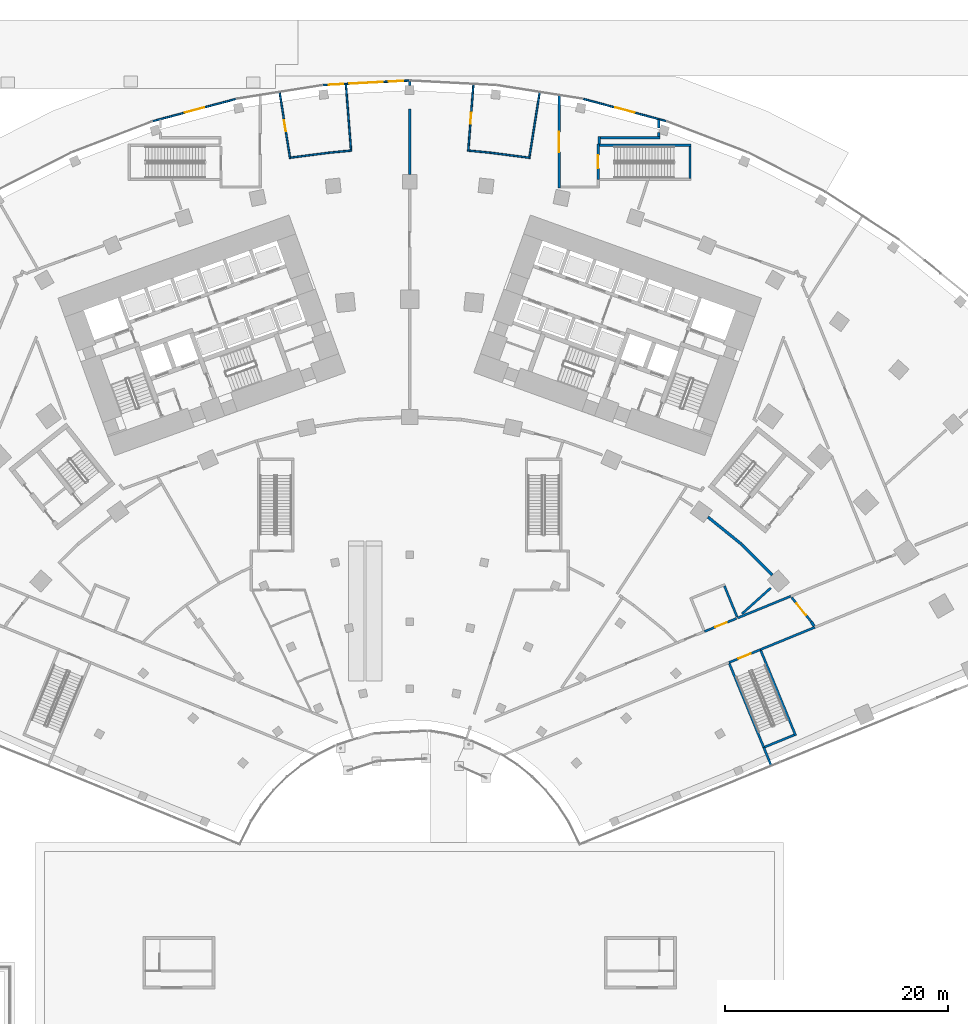
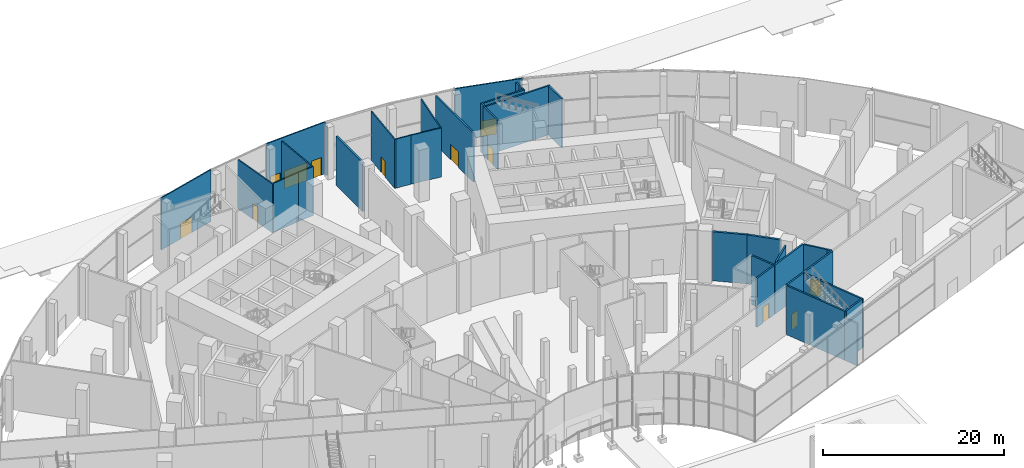
# One storey, part 36 of 60: 35 walls, 12 doors, 12 openings.
"""IFC4 building model written with IfcOpenShell, lengths in metres."""

from ifc_helpers import new_model, si_unit, direction, frame, frame_2d, origin, place, context, subcontext, project, spatial, rectangle, extrude, material, layer, layer_set, type_object, element, fill, save


model = new_model("IFC4")

# Units and contexts
model_context = context("Model", 3, precision=1e-05, world=origin(), true_north=direction((0.0, 1.0)))
body_context = subcontext(model_context, "Body", "Model", "MODEL_VIEW")
ifc_project = project(units=[si_unit("LENGTHUNIT", "METRE"), si_unit("AREAUNIT", "SQUARE_METRE"), si_unit("VOLUMEUNIT", "CUBIC_METRE"), si_unit("PLANEANGLEUNIT", "RADIAN"), si_unit("MASSUNIT", "GRAM", prefix="KILO")], contexts=[model_context])

# Site, building, storey
site_placement = place(None, origin())
site = spatial("IfcSite", under=ifc_project, at=site_placement, CompositionType="ELEMENT")
building_placement = place(site_placement, origin())
building = spatial("IfcBuilding", under=site, at=building_placement, Name="Stone Belt Terrace Tower", CompositionType="ELEMENT")
storey_placement = place(building_placement, origin())
storey = spatial("IfcBuildingStorey", under=building, at=storey_placement, Name="L00", CompositionType="ELEMENT", Elevation=0.0)

# Wall, opening, door
ifc_material_1 = material(Name="Terracotta coloured glazed ceramic", Category="masonry")
ifc_layer_1 = layer(ifc_material_1, 0.14990234375)
ifc_layer_set_1 = layer_set([ifc_layer_1], Name="Ceramic rain-screen wall 150")
wall_type_1 = type_object("IfcWallType", Name="Ceramic rain-screen wall 150", PredefinedType="SOLIDWALL", material=ifc_layer_set_1)
wall_1_placement = place(storey_placement, frame((23.01220703125, 70.933837890625, 0.0), z_axis=(0.0, 0.0, 1.0), x_axis=(-0.965920024897, 0.258840695223, 0.0)))
wall_1 = element("IfcWall", 1, at=wall_1_placement, inside=storey, type_object=wall_type_1, Name="Door wall L00", PredefinedType="SOLIDWALL", context=body_context, shape_type="SweptSolid", body=[
    extrude(rectangle(XDim=7.738037109375, YDim=0.14990234375, at=frame_2d((3.869140625, 0.0))), origin(), (0.0, 0.0, 1.0), 7.0),
])
opening_1_placement = place(wall_1_placement, frame((2.968994140625, 0.0, 0.0)))
opening_1 = element("IfcOpeningElement", 2, at=opening_1_placement, cuts=wall_1, Name="Opening L00-E12", PredefinedType="OPENING", context=body_context, shape_type="SweptSolid", body=[
    extrude(rectangle(XDim=1.800048828125, YDim=2.10009765625, at=frame_2d((0.89990234375, 1.050048828125))), frame((0.0, 0.0849609375, 0.0), z_axis=(0.0, -1.0, 0.0), x_axis=(1.0, 0.0, 0.0)), (0.0, 0.0, 1.0), 0.169921875),
])
ifc_material_2 = material(Name="Anodised aluminium glazed door", Category="aluminium")
door_type_1 = type_object("IfcDoorType", Name="Exit door pair 1800 x 2100", OperationType="DOUBLE_DOOR_DOUBLE_SWING", PredefinedType="DOOR", material=ifc_material_2)
door_1_placement = place(opening_1_placement, origin())
door_1 = element("IfcDoor", 3, at=door_1_placement, inside=storey, type_object=door_type_1, Name="Exit door L00", OperationType="DOUBLE_DOOR_DOUBLE_SWING", OverallHeight=2.10009765625, OverallWidth=1.800048828125, PredefinedType="DOOR", context=body_context, shape_type="SweptSolid", body=[
    extrude(rectangle(XDim=1.800048828125, YDim=2.10009765625, at=frame_2d((0.89990234375, 1.050048828125))), frame((0.0, 0.02490234375, 0.0), z_axis=(0.0, -1.0, 0.0), x_axis=(1.0, 0.0, 0.0)), (0.0, 0.0, 1.0), 0.050048828125),
])
fill(opening_1, door_1)

# Wall, openings, doors
wall_2_placement = place(storey_placement, frame((-0.033935546875, 74.5732421875, 0.0), z_axis=(0.0, 0.0, 1.0), x_axis=(-0.998630871779, -0.052310438058, 0.0)))
wall_2 = element("IfcWall", 4, at=wall_2_placement, inside=storey, type_object=wall_type_1, Name="Door wall L00", PredefinedType="SOLIDWALL", context=body_context, shape_type="SweptSolid", body=[
    extrude(rectangle(XDim=7.738037109375, YDim=0.14990234375, at=frame_2d((3.869140625, 0.0))), origin(), (0.0, 0.0, 1.0), 7.0),
])
opening_2_placement = place(wall_2_placement, frame((0.534423828125, 0.0, 0.0)))
opening_2 = element("IfcOpeningElement", 5, at=opening_2_placement, cuts=wall_2, Name="Opening L00-E13", PredefinedType="OPENING", context=body_context, shape_type="SweptSolid", body=[
    extrude(rectangle(XDim=1.300048828125, YDim=2.39990234375, at=frame_2d((0.64990234375, 1.199951171875))), frame((0.0, 0.0849609375, 0.0), z_axis=(0.0, -1.0, 0.0), x_axis=(1.0, 0.0, 0.0)), (0.0, 0.0, 1.0), 0.169921875),
])
opening_3_placement = place(wall_2_placement, frame((2.369140625, 0.0, 0.0)))
opening_3 = element("IfcOpeningElement", 6, at=opening_3_placement, cuts=wall_2, Name="Opening L00-E14", PredefinedType="OPENING", context=body_context, shape_type="SweptSolid", body=[
    extrude(rectangle(XDim=3.0, YDim=2.39990234375, at=frame_2d((1.5, 1.199951171875))), frame((0.0, 0.0849609375, 0.0), z_axis=(0.0, -1.0, 0.0), x_axis=(1.0, 0.0, 0.0)), (0.0, 0.0, 1.0), 0.169921875),
])
opening_4_placement = place(wall_2_placement, frame((5.903564453125, 0.0, 0.0)))
opening_4 = element("IfcOpeningElement", 7, at=opening_4_placement, cuts=wall_2, Name="Opening L00-E15", PredefinedType="OPENING", context=body_context, shape_type="SweptSolid", body=[
    extrude(rectangle(XDim=1.300048828125, YDim=2.39990234375, at=frame_2d((0.64990234375, 1.199951171875))), frame((0.0, 0.0849609375, 0.0), z_axis=(0.0, -1.0, 0.0), x_axis=(1.0, 0.0, 0.0)), (0.0, 0.0, 1.0), 0.169921875),
])
door_type_2 = type_object("IfcDoorType", Name="Entrance side door 1300 x 2400", OperationType="NOTDEFINED", PredefinedType="DOOR", material=ifc_material_2)
door_2_placement = place(opening_2_placement, origin())
door_2 = element("IfcDoor", 8, at=door_2_placement, inside=storey, type_object=door_type_2, Name="Entrance door L00", OperationType="SINGLE_SWING_LEFT", OverallHeight=2.39990234375, OverallWidth=1.300048828125, PredefinedType="DOOR", context=body_context, shape_type="SweptSolid", body=[
    extrude(rectangle(XDim=1.300048828125, YDim=2.39990234375, at=frame_2d((0.64990234375, 1.199951171875))), frame((0.0, 0.02490234375, 0.0), z_axis=(0.0, -1.0, 0.0), x_axis=(1.0, 0.0, 0.0)), (0.0, 0.0, 1.0), 0.050048828125),
])
fill(opening_2, door_2)
door_3_placement = place(opening_4_placement, origin())
door_3 = element("IfcDoor", 9, at=door_3_placement, inside=storey, type_object=door_type_2, Name="Entrance door L00", OperationType="SINGLE_SWING_RIGHT", OverallHeight=2.39990234375, OverallWidth=1.300048828125, PredefinedType="DOOR", context=body_context, shape_type="SweptSolid", body=[
    extrude(rectangle(XDim=1.300048828125, YDim=2.39990234375, at=frame_2d((0.64990234375, 1.199951171875))), frame((0.0, 0.02490234375, 0.0), z_axis=(0.0, -1.0, 0.0), x_axis=(1.0, 0.0, 0.0)), (0.0, 0.0, 1.0), 0.050048828125),
])
fill(opening_4, door_3)
door_type_3 = type_object("IfcDoorType", Name="Revolving entrance door 3000 x 2400", OperationType="REVOLVING", PredefinedType="DOOR", material=ifc_material_2)
door_4_placement = place(opening_3_placement, origin())
door_4 = element("IfcDoor", 10, at=door_4_placement, inside=storey, type_object=door_type_3, Name="Entrance door L00", OperationType="REVOLVING", OverallHeight=2.39990234375, OverallWidth=3.0, PredefinedType="DOOR", context=body_context, shape_type="SweptSolid", body=[
    extrude(rectangle(XDim=3.0, YDim=2.39990234375, at=frame_2d((1.5, 1.199951171875))), frame((0.0, 0.02490234375, 0.0), z_axis=(0.0, -1.0, 0.0), x_axis=(1.0, 0.0, 0.0)), (0.0, 0.0, 1.0), 0.050048828125),
])
fill(opening_3, door_4)

# Wall, opening, door
wall_3_placement = place(storey_placement, frame((-15.537841796875, 72.936767578125, 0.0), z_axis=(0.0, 0.0, 1.0), x_axis=(-0.965920024897, -0.258840695223, 0.0)))
wall_3 = element("IfcWall", 11, at=wall_3_placement, inside=storey, type_object=wall_type_1, Name="Door wall L00", PredefinedType="SOLIDWALL", context=body_context, shape_type="SweptSolid", body=[
    extrude(rectangle(XDim=7.738037109375, YDim=0.14990234375, at=frame_2d((3.869140625, 0.0))), origin(), (0.0, 0.0, 1.0), 7.0),
])
opening_5_placement = place(wall_3_placement, frame((2.968994140625, 0.0, 0.0)))
opening_5 = element("IfcOpeningElement", 12, at=opening_5_placement, cuts=wall_3, Name="Opening L00-E16", PredefinedType="OPENING", context=body_context, shape_type="SweptSolid", body=[
    extrude(rectangle(XDim=1.800048828125, YDim=2.10009765625, at=frame_2d((0.89990234375, 1.050048828125))), frame((0.0, 0.0849609375, 0.0), z_axis=(0.0, -1.0, 0.0), x_axis=(1.0, 0.0, 0.0)), (0.0, 0.0, 1.0), 0.169921875),
])
door_5_placement = place(opening_5_placement, origin())
door_5 = element("IfcDoor", 13, at=door_5_placement, inside=storey, type_object=door_type_1, Name="Exit door L00", OperationType="DOUBLE_DOOR_DOUBLE_SWING", OverallHeight=2.10009765625, OverallWidth=1.800048828125, PredefinedType="DOOR", context=body_context, shape_type="SweptSolid", body=[
    extrude(rectangle(XDim=1.800048828125, YDim=2.10009765625, at=frame_2d((0.89990234375, 1.050048828125))), frame((0.0, 0.02490234375, 0.0), z_axis=(0.0, -1.0, 0.0), x_axis=(1.0, 0.0, 0.0)), (0.0, 0.0, 1.0), 0.050048828125),
])
fill(opening_5, door_5)

# Walls
ifc_material_3 = material(Name="Concrete B30", Category="concrete")
ifc_layer_2 = layer(ifc_material_3, 0.25)
ifc_layer_set_2 = layer_set([ifc_layer_2], Name="Compartment wall 250")
wall_type_2 = type_object("IfcWallType", Name="Compartment wall 250", PredefinedType="SOLIDWALL", material=ifc_layer_set_2)
wall_4_placement = place(storey_placement, frame((26.72265625, 35.472412109375, 0.0), z_axis=(0.0, 0.0, 1.0), x_axis=(0.777272744525, -0.629163794746, 0.0)))
element("IfcWall", 14, at=wall_4_placement, inside=storey, type_object=wall_type_2, Name="Compartment wall L00 11", PredefinedType="SOLIDWALL", context=body_context, shape_type="SweptSolid", body=[
    extrude(rectangle(XDim=3.875244140625, YDim=0.25, at=frame_2d((1.9375, 0.0))), origin(), (0.0, 0.0, 1.0), 6.60009765625),
])
wall_5_placement = place(storey_placement, frame((29.74462890625, 33.025390625, 0.0), z_axis=(0.0, 0.0, 1.0), x_axis=(0.707106781187, -0.707106781187, 0.0)))
element("IfcWall", 15, at=wall_5_placement, inside=storey, type_object=wall_type_2, Name="Compartment wall L00 12", PredefinedType="SOLIDWALL", context=body_context, shape_type="SweptSolid", body=[
    extrude(rectangle(XDim=3.8759765625, YDim=0.25, at=frame_2d((1.93798828125, 0.0))), origin(), (0.0, 0.0, 1.0), 6.60009765625),
])
ifc_material_4 = material(Name="Fire-resistant glazing in steel frame", Category="steel")
ifc_layer_3 = layer(ifc_material_4, 0.25)
ifc_layer_set_3 = layer_set([ifc_layer_3], Name="Glazed compartment fire screen 250")
wall_type_3 = type_object("IfcWallType", Name="Glazed compartment fire screen 250", PredefinedType="PARTITIONING", material=ifc_layer_set_3)
wall_6_placement = place(storey_placement, frame((0.0, 66.158935546875, 0.0), z_axis=(0.0, 0.0, 1.0), x_axis=(0.0, 1.0, 0.0)))
element("IfcWall", 16, at=wall_6_placement, inside=storey, type_object=wall_type_3, Name="Compartment fire screen L00 7", PredefinedType="PARTITIONING", context=body_context, shape_type="SweptSolid", body=[
    extrude(rectangle(XDim=5.848876953125, YDim=0.25, at=frame_2d((2.92431640625, 0.0))), origin(), (0.0, 0.0, 1.0), 6.60009765625),
])
wall_7_placement = place(storey_placement, frame((0.0, 74.14794921875, 0.0), z_axis=(0.0, 0.0, 1.0), x_axis=(0.0, 1.0, 0.0)))
element("IfcWall", 17, at=wall_7_placement, inside=storey, type_object=wall_type_3, Name="Compartment fire screen L00 7", PredefinedType="PARTITIONING", context=body_context, shape_type="SweptSolid", body=[
    extrude(rectangle(XDim=0.35205078125, YDim=0.25, at=frame_2d((0.176025390625, 0.0))), origin(), (0.0, 0.0, 1.0), 6.60009765625),
])
wall_8_placement = place(storey_placement, frame((35.96337890625, 26.11474609375, 0.0), z_axis=(0.0, 0.0, 1.0), x_axis=(0.547424137073, -0.836855312554, 0.0)))
element("IfcWall", 18, at=wall_8_placement, inside=storey, type_object=wall_type_3, Name="Compartment fire screen L00 13", PredefinedType="PARTITIONING", context=body_context, shape_type="SweptSolid", body=[
    extrude(rectangle(XDim=0.4892578125, YDim=0.25, at=frame_2d((0.24462890625, 0.0))), origin(), (0.0, 0.0, 1.0), 6.60009765625),
])
ifc_material_5 = material(Name="Blockwork wall, plastered both faces", Category="masonry")
ifc_layer_4 = layer(ifc_material_5, 0.199951171875)
ifc_layer_set_4 = layer_set([ifc_layer_4], Name="Podium demising wall 200")
wall_type_4 = type_object("IfcWallType", Name="Podium demising wall 200", PredefinedType="PARTITIONING", material=ifc_layer_set_4)
wall_9_placement = place(storey_placement, frame((29.775634765625, 26.805908203125, 0.0), z_axis=(0.0, 0.0, 1.0), x_axis=(0.742702863991, 0.669621128565, 0.0)))
element("IfcWall", 19, at=wall_9_placement, inside=storey, type_object=wall_type_4, Name="Podium demising wall 200", PredefinedType="PARTITIONING", context=body_context, shape_type="SweptSolid", body=[
    extrude(rectangle(XDim=3.450927734375, YDim=0.199951171875, at=frame_2d((1.7255859375, 0.0))), origin(), (0.0, 0.0, 1.0), 6.60009765625),
])
wall_10_placement = place(storey_placement, frame((31.72021484375, 14.83984375, 0.0), z_axis=(0.0, 0.0, 1.0), x_axis=(0.375412514618, -0.926857833688, 0.0)))
element("IfcWall", 20, at=wall_10_placement, inside=storey, type_object=wall_type_4, Name="Podium demising wall 200", PredefinedType="PARTITIONING", context=body_context, shape_type="SweptSolid", body=[
    extrude(rectangle(XDim=1.70458984375, YDim=0.199951171875, at=frame_2d((0.852294921875, 0.0))), origin(), (0.0, 0.0, 1.0), 5.699951171875),
])

# Wall, opening, door
ifc_material_6 = material(Name="Fire-rated blockwork wall, plastered both faces", Category="masonry")
ifc_layer_5 = layer(ifc_material_6, 0.199951171875)
ifc_layer_set_5 = layer_set([ifc_layer_5], Name="Podium exit passage wall 200")
wall_type_5 = type_object("IfcWallType", Name="Podium exit passage wall 200", PredefinedType="PARTITIONING", material=ifc_layer_set_5)
wall_11_placement = place(storey_placement, frame((13.389892578125, 64.949951171875, 0.0), z_axis=(0.0, 0.0, 1.0), x_axis=(0.0, 1.0, 0.0)))
wall_11 = element("IfcWall", 21, at=wall_11_placement, inside=storey, type_object=wall_type_5, Name="Podium exit passage wall 200", PredefinedType="PARTITIONING", context=body_context, shape_type="SweptSolid", body=[
    extrude(rectangle(XDim=8.3369140625, YDim=0.199951171875, at=frame_2d((4.16845703125, 0.0))), origin(), (0.0, 0.0, 1.0), 6.60009765625),
])
opening_6_placement = place(wall_11_placement, frame((3.22509765625, 0.0, 0.0)))
opening_6 = element("IfcOpeningElement", 22, at=opening_6_placement, cuts=wall_11, Name="Opening L00-P41", PredefinedType="OPENING", context=body_context, shape_type="SweptSolid", body=[
    extrude(rectangle(XDim=1.800048828125, YDim=2.10009765625, at=frame_2d((0.89990234375, 1.050048828125))), frame((0.0, 0.10986328125, 0.0), z_axis=(0.0, -1.0, 0.0), x_axis=(1.0, 0.0, 0.0)), (0.0, 0.0, 1.0), 0.219970703125),
])
ifc_material_7 = material(Name="Steel framed door leaf", Category="steel")
door_type_4 = type_object("IfcDoorType", Name="Podium door double 1800", OperationType="DOUBLE_DOOR_SINGLE_SWING", PredefinedType="DOOR", material=ifc_material_7)
door_6_placement = place(opening_6_placement, origin())
door_6 = element("IfcDoor", 23, at=door_6_placement, inside=storey, type_object=door_type_4, Name="Podium door double 1800", OperationType="DOUBLE_DOOR_SINGLE_SWING", OverallHeight=2.10009765625, OverallWidth=1.800048828125, PredefinedType="DOOR", context=body_context, shape_type="SweptSolid", body=[
    extrude(rectangle(XDim=1.800048828125, YDim=2.10009765625, at=frame_2d((0.89990234375, 1.050048828125))), frame((0.0, 0.02490234375, 0.0), z_axis=(0.0, -1.0, 0.0), x_axis=(1.0, 0.0, 0.0)), (0.0, 0.0, 1.0), 0.050048828125),
])
fill(opening_6, door_6)

# Walls
wall_12_placement = place(storey_placement, frame((16.989990234375, 68.8798828125, 0.0), z_axis=(0.0, 0.0, 1.0), x_axis=(0.0, 1.0, 0.0)))
element("IfcWall", 24, at=wall_12_placement, inside=storey, type_object=wall_type_5, Name="Podium exit passage wall 200", PredefinedType="PARTITIONING", context=body_context, shape_type="SweptSolid", body=[
    extrude(rectangle(XDim=0.670166015625, YDim=0.199951171875, at=frame_2d((0.3349609375, 0.0))), origin(), (0.0, 0.0, 1.0), 6.60009765625),
])
wall_13_placement = place(storey_placement, frame((17.090087890625, 69.449951171875, 0.0), z_axis=(0.0, 0.0, 1.0), x_axis=(1.0, 0.0, 0.0)))
element("IfcWall", 25, at=wall_13_placement, inside=storey, type_object=wall_type_5, Name="Podium exit passage wall 200", PredefinedType="PARTITIONING", context=body_context, shape_type="SweptSolid", body=[
    extrude(rectangle(XDim=5.31982421875, YDim=0.199951171875, at=frame_2d((2.659912109375, 0.0))), origin(), (0.0, 0.0, 1.0), 6.60009765625),
])
wall_14_placement = place(storey_placement, frame((22.31005859375, 69.550048828125, 0.0), z_axis=(0.0, 0.0, 1.0), x_axis=(0.0, 1.0, 0.0)))
element("IfcWall", 26, at=wall_14_placement, inside=storey, type_object=wall_type_5, Name="Podium exit passage wall 200", PredefinedType="PARTITIONING", context=body_context, shape_type="SweptSolid", body=[
    extrude(rectangle(XDim=0.379150390625, YDim=0.199951171875, at=frame_2d((0.189453125, 0.0))), origin(), (0.0, 0.0, 1.0), 6.60009765625),
])
wall_15_placement = place(storey_placement, frame((22.31005859375, 70.3095703125, 0.0), z_axis=(0.0, 0.0, 1.0), x_axis=(0.0, 1.0, 0.0)))
element("IfcWall", 27, at=wall_15_placement, inside=storey, type_object=wall_type_5, Name="Podium exit passage wall 200", PredefinedType="PARTITIONING", context=body_context, shape_type="SweptSolid", body=[
    extrude(rectangle(XDim=0.771484375, YDim=0.199951171875, at=frame_2d((0.3857421875, 0.0))), origin(), (0.0, 0.0, 1.0), 6.60009765625),
])
wall_16_placement = place(storey_placement, frame((29.3701171875, 26.429931640625, 0.0), z_axis=(0.0, 0.0, 1.0), x_axis=(0.925357825015, 0.37909483732, 0.0)))
element("IfcWall", 28, at=wall_16_placement, inside=storey, type_object=wall_type_5, Name="Podium exit passage wall 200", PredefinedType="PARTITIONING", context=body_context, shape_type="SweptSolid", body=[
    extrude(rectangle(XDim=5.143798828125, YDim=0.199951171875, at=frame_2d((2.57177734375, 0.0))), origin(), (0.0, 0.0, 1.0), 6.60009765625),
])
wall_17_placement = place(storey_placement, frame((31.420166015625, 23.60009765625, 0.0), z_axis=(0.0, 0.0, 1.0), x_axis=(0.925301943077, 0.379231214613, 0.0)))
element("IfcWall", 29, at=wall_17_placement, inside=storey, type_object=wall_type_5, Name="Podium exit passage wall 200", PredefinedType="PARTITIONING", context=body_context, shape_type="SweptSolid", body=[
    extrude(rectangle(XDim=5.27392578125, YDim=0.199951171875, at=frame_2d((2.636962890625, 0.0))), origin(), (0.0, 0.0, 1.0), 6.60009765625),
])

# Wall, opening, door
wall_18_placement = place(storey_placement, frame((34.214599609375, 28.275634765625, 0.0), z_axis=(0.0, 0.0, 1.0), x_axis=(0.629287013408, -0.777172988952, 0.0)))
wall_18 = element("IfcWall", 30, at=wall_18_placement, inside=storey, type_object=wall_type_5, Name="Podium exit passage wall 200", PredefinedType="PARTITIONING", context=body_context, shape_type="SweptSolid", body=[
    extrude(rectangle(XDim=2.7685546875, YDim=0.199951171875, at=frame_2d((1.38427734375, 0.0))), origin(), (0.0, 0.0, 1.0), 6.60009765625),
])
opening_7_placement = place(wall_18_placement, frame((0.71923828125, 0.0, 0.0)))
opening_7 = element("IfcOpeningElement", 31, at=opening_7_placement, cuts=wall_18, Name="Opening L00-P45", PredefinedType="OPENING", context=body_context, shape_type="SweptSolid", body=[
    extrude(rectangle(XDim=1.300048828125, YDim=2.10009765625, at=frame_2d((0.64990234375, 1.050048828125))), frame((0.0, 0.10986328125, 0.0), z_axis=(0.0, -1.0, 0.0), x_axis=(1.0, 0.0, 0.0)), (0.0, 0.0, 1.0), 0.219970703125),
])
ifc_material_8 = material(Name="Steel framed fire door leaf", Category="steel")
door_type_5 = type_object("IfcDoorType", Name="Fire door 1300 x 2100 EI 60", OperationType="SINGLE_SWING_LEFT", PredefinedType="DOOR", material=ifc_material_8)
door_7_placement = place(opening_7_placement, origin())
door_7 = element("IfcDoor", 32, at=door_7_placement, inside=storey, type_object=door_type_5, Name="Fire door 1300 x 2100 EI 60", OperationType="SINGLE_SWING_LEFT", OverallHeight=2.10009765625, OverallWidth=1.300048828125, PredefinedType="DOOR", context=body_context, shape_type="SweptSolid", body=[
    extrude(rectangle(XDim=1.300048828125, YDim=2.10009765625, at=frame_2d((0.64990234375, 1.050048828125))), frame((0.0, 0.02490234375, 0.0), z_axis=(0.0, -1.0, 0.0), x_axis=(1.0, 0.0, 0.0)), (0.0, 0.0, 1.0), 0.050048828125),
])
fill(opening_7, door_7)

ifc_material_9 = material(Name="Reinforced blockwork wall, plastered both faces", Category="masonry")
ifc_layer_6 = layer(ifc_material_9, 0.199951171875)
ifc_layer_set_6 = layer_set([ifc_layer_6], Name="Podium lift shaft wall 200")
wall_type_6 = type_object("IfcWallType", Name="Podium lift shaft wall 200", PredefinedType="SOLIDWALL", material=ifc_layer_set_6)
wall_19_placement = place(storey_placement, frame((26.409912109375, 25.219970703125, 0.0), z_axis=(0.0, 0.0, 1.0), x_axis=(0.925658573014, 0.378359889795, 0.0)))
wall_19 = element("IfcWall", 33, at=wall_19_placement, inside=storey, type_object=wall_type_6, Name="Podium lift shaft wall 200", PredefinedType="SOLIDWALL", context=body_context, shape_type="SweptSolid", body=[
    extrude(rectangle(XDim=3.099853515625, YDim=0.199951171875, at=frame_2d((1.5498046875, 0.0))), origin(), (0.0, 0.0, 1.0), 6.60009765625),
])
opening_8_placement = place(wall_19_placement, frame((1.048828125, 0.0, 0.0)))
opening_8 = element("IfcOpeningElement", 34, at=opening_8_placement, cuts=wall_19, Name="Opening L00-P10", PredefinedType="OPENING", context=body_context, shape_type="SweptSolid", body=[
    extrude(rectangle(XDim=1.10009765625, YDim=2.10009765625, at=frame_2d((0.550048828125, 1.050048828125))), frame((0.0, 0.10986328125, 0.0), z_axis=(0.0, -1.0, 0.0), x_axis=(1.0, 0.0, 0.0)), (0.0, 0.0, 1.0), 0.219970703125),
])
ifc_material_10 = material(Name="Stainless steel sliding landing door leaf", Category="steel")
door_type_6 = type_object("IfcDoorType", Name="Podium landing door 1100", OperationType="SLIDING_TO_LEFT", PredefinedType="DOOR", material=ifc_material_10)
door_8_placement = place(opening_8_placement, origin())
door_8 = element("IfcDoor", 35, at=door_8_placement, inside=storey, type_object=door_type_6, Name="Podium landing door 1100", OperationType="SLIDING_TO_LEFT", OverallHeight=2.10009765625, OverallWidth=1.10009765625, PredefinedType="DOOR", context=body_context, shape_type="SweptSolid", body=[
    extrude(rectangle(XDim=1.10009765625, YDim=2.10009765625, at=frame_2d((0.550048828125, 1.050048828125))), frame((0.0, 0.02490234375, 0.0), z_axis=(0.0, -1.0, 0.0), x_axis=(1.0, 0.0, 0.0)), (0.0, 0.0, 1.0), 0.050048828125),
])
fill(opening_8, door_8)

# Wall
wall_20_placement = place(storey_placement, frame((28.197998046875, 29.297607421875, 0.0), z_axis=(0.0, 0.0, 1.0), x_axis=(0.379466957748, -0.92520528964, 0.0)))
element("IfcWall", 36, at=wall_20_placement, inside=storey, type_object=wall_type_6, Name="Podium lift shaft wall 200", PredefinedType="SOLIDWALL", context=body_context, shape_type="SweptSolid", body=[
    extrude(rectangle(XDim=2.996826171875, YDim=0.199951171875, at=frame_2d((1.49853515625, 0.0))), origin(), (0.0, 0.0, 1.0), 6.60009765625),
])

# Wall, opening, door
ifc_material_11 = material(Name="Gypsum board on steel stud partition", Category="steel")
ifc_layer_7 = layer(ifc_material_11, 0.14990234375)
ifc_layer_set_7 = layer_set([ifc_layer_7], Name="Podium partition 150")
wall_type_7 = type_object("IfcWallType", Name="Podium partition 150", PredefinedType="PARTITIONING", material=ifc_layer_set_7)
wall_21_placement = place(storey_placement, frame((-11.65625, 73.58251953125, 0.0), z_axis=(0.0, 0.0, 1.0), x_axis=(0.156150489017, -0.987733276133, 0.0)))
wall_21 = element("IfcWall", 37, at=wall_21_placement, inside=storey, type_object=wall_type_7, Name="Podium partition 150", PredefinedType="PARTITIONING", context=body_context, shape_type="SweptSolid", body=[
    extrude(rectangle(XDim=6.071044921875, YDim=0.14990234375, at=frame_2d((3.03564453125, 0.0))), origin(), (0.0, 0.0, 1.0), 6.60009765625),
])
opening_9_placement = place(wall_21_placement, frame((2.58740234375, 0.0, 0.0)))
opening_9 = element("IfcOpeningElement", 38, at=opening_9_placement, cuts=wall_21, Name="Opening L00-P11", PredefinedType="OPENING", context=body_context, shape_type="SweptSolid", body=[
    extrude(rectangle(XDim=1.0, YDim=2.10009765625, at=frame_2d((0.5, 1.050048828125))), frame((0.0, 0.0849609375, 0.0), z_axis=(0.0, -1.0, 0.0), x_axis=(1.0, 0.0, 0.0)), (0.0, 0.0, 1.0), 0.169921875),
])
door_type_7 = type_object("IfcDoorType", Name="Podium door single 1000", OperationType="SINGLE_SWING_LEFT", PredefinedType="DOOR", material=ifc_material_7)
door_9_placement = place(opening_9_placement, origin())
door_9 = element("IfcDoor", 39, at=door_9_placement, inside=storey, type_object=door_type_7, Name="Podium door single 1000", OperationType="SINGLE_SWING_LEFT", OverallHeight=2.10009765625, OverallWidth=1.0, PredefinedType="DOOR", context=body_context, shape_type="SweptSolid", body=[
    extrude(rectangle(XDim=1.0, YDim=2.10009765625, at=frame_2d((0.5, 1.050048828125))), frame((0.0, 0.02490234375, 0.0), z_axis=(0.0, -1.0, 0.0), x_axis=(1.0, 0.0, 0.0)), (0.0, 0.0, 1.0), 0.050048828125),
])
fill(opening_9, door_9)

# Walls
wall_22_placement = place(storey_placement, frame((-10.6455078125, 67.669677734375, 0.0), z_axis=(0.0, 0.0, 1.0), x_axis=(0.991755089207, 0.128147739086, 0.0)))
element("IfcWall", 40, at=wall_22_placement, inside=storey, type_object=wall_type_7, Name="Podium partition 150", PredefinedType="PARTITIONING", context=body_context, shape_type="SweptSolid", body=[
    extrude(rectangle(XDim=3.51318359375, YDim=0.14990234375, at=frame_2d((1.756591796875, 0.0))), origin(), (0.0, 0.0, 1.0), 6.60009765625),
])
wall_23_placement = place(storey_placement, frame((-7.15869140625, 68.1201171875, 0.0), z_axis=(0.0, 0.0, 1.0), x_axis=(0.995595703905, 0.093750703285, 0.0)))
element("IfcWall", 41, at=wall_23_placement, inside=storey, type_object=wall_type_7, Name="Podium partition 150", PredefinedType="PARTITIONING", context=body_context, shape_type="SweptSolid", body=[
    extrude(rectangle(XDim=1.9921875, YDim=0.14990234375, at=frame_2d((0.99609375, 0.0))), origin(), (0.0, 0.0, 1.0), 6.60009765625),
])
wall_24_placement = place(storey_placement, frame((-5.71630859375, 74.280517578125, 0.0), z_axis=(0.0, 0.0, 1.0), x_axis=(0.077730209813, -0.996974430205, 0.0)))
element("IfcWall", 42, at=wall_24_placement, inside=storey, type_object=wall_type_7, Name="Podium partition 150", PredefinedType="PARTITIONING", context=body_context, shape_type="SweptSolid", body=[
    extrude(rectangle(XDim=5.923583984375, YDim=0.14990234375, at=frame_2d((2.9619140625, 0.0))), origin(), (0.0, 0.0, 1.0), 6.60009765625),
])

# Wall, opening, door
wall_25_placement = place(storey_placement, frame((5.244140625, 68.22509765625, 0.0), z_axis=(0.0, 0.0, 1.0), x_axis=(0.077738471243, 0.996973786059, 0.0)))
wall_25 = element("IfcWall", 43, at=wall_25_placement, inside=storey, type_object=wall_type_7, Name="Podium partition 150", PredefinedType="PARTITIONING", context=body_context, shape_type="SweptSolid", body=[
    extrude(rectangle(XDim=6.07373046875, YDim=0.14990234375, at=frame_2d((3.036865234375, 0.0))), origin(), (0.0, 0.0, 1.0), 6.60009765625),
])
opening_10_placement = place(wall_25_placement, frame((2.49658203125, 0.0, 0.0)))
opening_10 = element("IfcOpeningElement", 44, at=opening_10_placement, cuts=wall_25, Name="Opening L00-P12", PredefinedType="OPENING", context=body_context, shape_type="SweptSolid", body=[
    extrude(rectangle(XDim=1.0, YDim=2.10009765625, at=frame_2d((0.5, 1.050048828125))), frame((0.0, 0.0849609375, 0.0), z_axis=(0.0, -1.0, 0.0), x_axis=(1.0, 0.0, 0.0)), (0.0, 0.0, 1.0), 0.169921875),
])
door_10_placement = place(opening_10_placement, origin())
door_10 = element("IfcDoor", 45, at=door_10_placement, inside=storey, type_object=door_type_7, Name="Podium door single 1000", OperationType="SINGLE_SWING_RIGHT", OverallHeight=2.10009765625, OverallWidth=1.0, PredefinedType="DOOR", context=body_context, shape_type="SweptSolid", body=[
    extrude(rectangle(XDim=1.0, YDim=2.10009765625, at=frame_2d((0.5, 1.050048828125))), frame((0.0, 0.02490234375, 0.0), z_axis=(0.0, -1.0, 0.0), x_axis=(1.0, 0.0, 0.0)), (0.0, 0.0, 1.0), 0.050048828125),
])
fill(opening_10, door_10)

# Walls
wall_26_placement = place(storey_placement, frame((5.32470703125, 68.29296875, 0.0), z_axis=(0.0, 0.0, 1.0), x_axis=(0.995587916479, -0.09383336593, 0.0)))
element("IfcWall", 46, at=wall_26_placement, inside=storey, type_object=wall_type_7, Name="Podium partition 150", PredefinedType="PARTITIONING", context=body_context, shape_type="SweptSolid", body=[
    extrude(rectangle(XDim=1.842041015625, YDim=0.14990234375, at=frame_2d((0.9208984375, 0.0))), origin(), (0.0, 0.0, 1.0), 6.60009765625),
])
wall_27_placement = place(storey_placement, frame((7.161376953125, 68.119873046875, 0.0), z_axis=(0.0, 0.0, 1.0), x_axis=(0.991753564393, -0.1281595393, 0.0)))
element("IfcWall", 47, at=wall_27_placement, inside=storey, type_object=wall_type_7, Name="Podium partition 150", PredefinedType="PARTITIONING", context=body_context, shape_type="SweptSolid", body=[
    extrude(rectangle(XDim=3.663330078125, YDim=0.14990234375, at=frame_2d((1.83154296875, 0.0))), origin(), (0.0, 0.0, 1.0), 6.60009765625),
])
wall_28_placement = place(storey_placement, frame((10.731689453125, 67.734130859375, 0.0), z_axis=(0.0, 0.0, 1.0), x_axis=(0.156148898718, 0.987733527541, 0.0)))
element("IfcWall", 48, at=wall_28_placement, inside=storey, type_object=wall_type_7, Name="Podium partition 150", PredefinedType="PARTITIONING", context=body_context, shape_type="SweptSolid", body=[
    extrude(rectangle(XDim=5.9208984375, YDim=0.14990234375, at=frame_2d((2.96044921875, 0.0))), origin(), (0.0, 0.0, 1.0), 6.60009765625),
])

# Wall, opening, door
ifc_layer_8 = layer(ifc_material_3, 0.199951171875)
ifc_layer_set_8 = layer_set([ifc_layer_8], Name="Podium stair and shaft wall 200")
wall_type_8 = type_object("IfcWallType", Name="Podium stair and shaft wall 200", PredefinedType="SOLIDWALL", material=ifc_layer_set_8)
wall_29_placement = place(storey_placement, frame((16.889892578125, 65.719970703125, 0.0), z_axis=(0.0, 0.0, 1.0), x_axis=(0.0, 1.0, 0.0)))
wall_29 = element("IfcWall", 49, at=wall_29_placement, inside=storey, type_object=wall_type_8, Name="Podium stair and shaft wall 200", PredefinedType="SOLIDWALL", context=body_context, shape_type="SweptSolid", body=[
    extrude(rectangle(XDim=3.159912109375, YDim=0.199951171875, at=frame_2d((1.580078125, 0.0))), origin(), (0.0, 0.0, 1.0), 6.60009765625),
])
opening_11_placement = place(wall_29_placement, frame((0.97998046875, 0.0, 0.0)))
opening_11 = element("IfcOpeningElement", 50, at=opening_11_placement, cuts=wall_29, Name="Opening L00-P08", PredefinedType="OPENING", context=body_context, shape_type="SweptSolid", body=[
    extrude(rectangle(XDim=1.199951171875, YDim=2.10009765625, at=frame_2d((0.60009765625, 1.050048828125))), frame((0.0, 0.10986328125, 0.0), z_axis=(0.0, -1.0, 0.0), x_axis=(1.0, 0.0, 0.0)), (0.0, 0.0, 1.0), 0.219970703125),
])
door_type_8 = type_object("IfcDoorType", Name="Podium door fire stair 1200", OperationType="SINGLE_SWING_LEFT", PredefinedType="DOOR", material=ifc_material_7)
door_11_placement = place(opening_11_placement, origin())
door_11 = element("IfcDoor", 51, at=door_11_placement, inside=storey, type_object=door_type_8, Name="Podium door fire stair 1200", OperationType="SINGLE_SWING_RIGHT", OverallHeight=2.10009765625, OverallWidth=1.199951171875, PredefinedType="DOOR", context=body_context, shape_type="SweptSolid", body=[
    extrude(rectangle(XDim=1.199951171875, YDim=2.10009765625, at=frame_2d((0.60009765625, 1.050048828125))), frame((0.0, 0.02490234375, 0.0), z_axis=(0.0, -1.0, 0.0), x_axis=(1.0, 0.0, 0.0)), (0.0, 0.0, 1.0), 0.050048828125),
])
fill(opening_11, door_11)

# Walls
wall_30_placement = place(storey_placement, frame((16.989990234375, 68.780029296875, 0.0), z_axis=(0.0, 0.0, 1.0), x_axis=(1.0, 0.0, 0.0)))
element("IfcWall", 52, at=wall_30_placement, inside=storey, type_object=wall_type_8, Name="Podium stair and shaft wall 200", PredefinedType="SOLIDWALL", context=body_context, shape_type="SweptSolid", body=[
    extrude(rectangle(XDim=8.219970703125, YDim=0.199951171875, at=frame_2d((4.10986328125, 0.0))), origin(), (0.0, 0.0, 1.0), 6.60009765625),
])
wall_31_placement = place(storey_placement, frame((25.110107421875, 65.820068359375, 0.0), z_axis=(0.0, 0.0, 1.0), x_axis=(0.0, 1.0, 0.0)))
element("IfcWall", 53, at=wall_31_placement, inside=storey, type_object=wall_type_8, Name="Podium stair and shaft wall 200", PredefinedType="SOLIDWALL", context=body_context, shape_type="SweptSolid", body=[
    extrude(rectangle(XDim=2.85986328125, YDim=0.199951171875, at=frame_2d((1.429931640625, 0.0))), origin(), (0.0, 0.0, 1.0), 6.60009765625),
])

# Wall, opening, door
wall_32_placement = place(storey_placement, frame((28.60009765625, 22.43994140625, 0.0), z_axis=(0.0, 0.0, 1.0), x_axis=(0.924787502584, 0.380484001063, 0.0)))
wall_32 = element("IfcWall", 54, at=wall_32_placement, inside=storey, type_object=wall_type_8, Name="Podium stair and shaft wall 200", PredefinedType="SOLIDWALL", context=body_context, shape_type="SweptSolid", body=[
    extrude(rectangle(XDim=3.049072265625, YDim=0.199951171875, at=frame_2d((1.5244140625, 0.0))), origin(), (0.0, 0.0, 1.0), 6.60009765625),
])
opening_12_placement = place(wall_32_placement, frame((0.924560546875, 0.0, 0.0)))
opening_12 = element("IfcOpeningElement", 55, at=opening_12_placement, cuts=wall_32, Name="Opening L00-P03", PredefinedType="OPENING", context=body_context, shape_type="SweptSolid", body=[
    extrude(rectangle(XDim=1.199951171875, YDim=2.10009765625, at=frame_2d((0.60009765625, 1.050048828125))), frame((0.0, 0.10986328125, 0.0), z_axis=(0.0, -1.0, 0.0), x_axis=(1.0, 0.0, 0.0)), (0.0, 0.0, 1.0), 0.219970703125),
])
door_12_placement = place(opening_12_placement, origin())
door_12 = element("IfcDoor", 56, at=door_12_placement, inside=storey, type_object=door_type_8, Name="Podium door fire stair 1200", OperationType="SINGLE_SWING_LEFT", OverallHeight=2.10009765625, OverallWidth=1.199951171875, PredefinedType="DOOR", context=body_context, shape_type="SweptSolid", body=[
    extrude(rectangle(XDim=1.199951171875, YDim=2.10009765625, at=frame_2d((0.60009765625, 1.050048828125))), frame((0.0, 0.02490234375, 0.0), z_axis=(0.0, -1.0, 0.0), x_axis=(1.0, 0.0, 0.0)), (0.0, 0.0, 1.0), 0.050048828125),
])
fill(opening_12, door_12)

# Walls
wall_33_placement = place(storey_placement, frame((28.637939453125, 22.347412109375, 0.0), z_axis=(0.0, 0.0, 1.0), x_axis=(0.379778190266, -0.925077578476, 0.0)))
element("IfcWall", 57, at=wall_33_placement, inside=storey, type_object=wall_type_8, Name="Podium stair and shaft wall 200", PredefinedType="SOLIDWALL", context=body_context, shape_type="SweptSolid", body=[
    extrude(rectangle(XDim=8.115234375, YDim=0.199951171875, at=frame_2d((4.0576171875, 0.0))), origin(), (0.0, 0.0, 1.0), 6.60009765625),
])
wall_34_placement = place(storey_placement, frame((31.4580078125, 23.507568359375, 0.0), z_axis=(0.0, 0.0, 1.0), x_axis=(0.379325073911, -0.925263469668, 0.0)))
element("IfcWall", 58, at=wall_34_placement, inside=storey, type_object=wall_type_8, Name="Podium stair and shaft wall 200", PredefinedType="SOLIDWALL", context=body_context, shape_type="SweptSolid", body=[
    extrude(rectangle(XDim=8.224853515625, YDim=0.199951171875, at=frame_2d((4.1123046875, 0.0))), origin(), (0.0, 0.0, 1.0), 6.60009765625),
])
wall_35_placement = place(storey_placement, frame((31.8125, 14.877685546875, 0.0), z_axis=(0.0, 0.0, 1.0), x_axis=(0.925976847494, 0.377580293322, 0.0)))
element("IfcWall", 59, at=wall_35_placement, inside=storey, type_object=wall_type_8, Name="Podium stair and shaft wall 200", PredefinedType="SOLIDWALL", context=body_context, shape_type="SweptSolid", body=[
    extrude(rectangle(XDim=2.845703125, YDim=0.199951171875, at=frame_2d((1.4228515625, 0.0))), origin(), (0.0, 0.0, 1.0), 6.60009765625),
])

save(model, "model.ifc")
